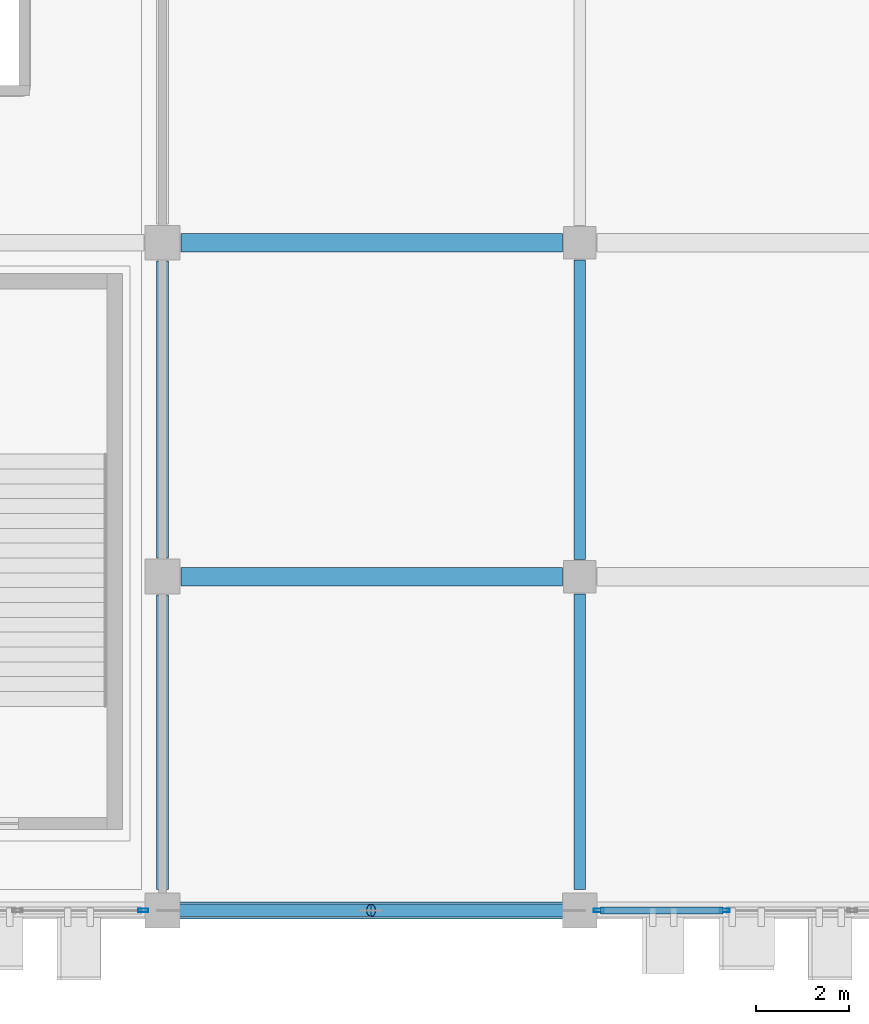
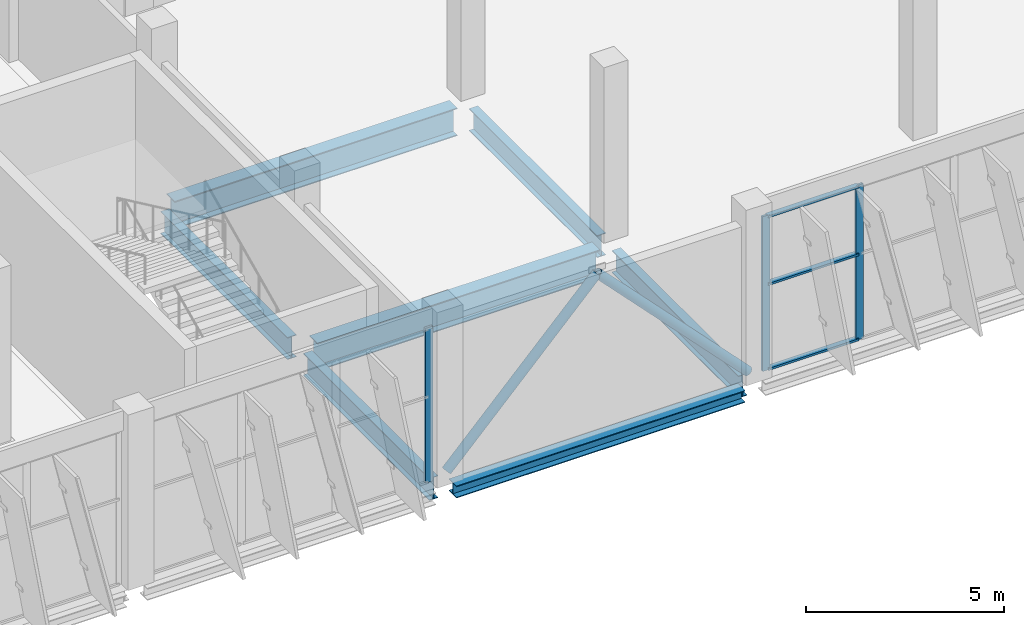
# One storey, part 49 of 189: 8 members, 7 beams, 2 elements without a shape of their own.
"""IFC4 building model written with IfcOpenShell, lengths in metres."""

from ifc_helpers import new_model, si_unit, direction, frame, origin, origin_2d, place, context, subcontext, project, spatial, hollow_rectangle, hollow_circle, i_section, extrude, material, layer, layer_set, material_profile, profile_set, type_object, element, aggregate, save


model = new_model("IFC4")

# Units and contexts
model_context = context("Model", 3, precision=1e-05, world=origin(), true_north=direction((0.0, 1.0)))
body_context = subcontext(model_context, "Body", "Model", "MODEL_VIEW")
ifc_project = project(units=[si_unit("LENGTHUNIT", "METRE"), si_unit("AREAUNIT", "SQUARE_METRE"), si_unit("VOLUMEUNIT", "CUBIC_METRE"), si_unit("PLANEANGLEUNIT", "RADIAN"), si_unit("MASSUNIT", "GRAM", prefix="KILO")], contexts=[model_context])

# Site, building, storey
site_placement = place(None, origin())
site = spatial("IfcSite", under=ifc_project, at=site_placement, CompositionType="ELEMENT")
building_placement = place(site_placement, origin())
building = spatial("IfcBuilding", under=site, at=building_placement, Name="Celestram Park Convention Centre", CompositionType="ELEMENT")
storey_placement = place(building_placement, frame((0.0, 0.0, 5.39990234375)))
storey = spatial("IfcBuildingStorey", under=building, at=storey_placement, Name="L01", CompositionType="ELEMENT", Elevation=5.39990234375)

# Curtain wall, members
ifc_material_1 = material(Name="Anodised Aluminium Alloy 6063-T6", Category="aluminium")
ifc_layer = layer(ifc_material_1, 0.179931640625)
ifc_layer_set = layer_set([ifc_layer], Name="Anodised Aluminium Alloy 6063-T6")
curtain_wall_type = type_object("IfcCurtainWallType", Name="ARC-CW-825X476", PredefinedType="NOTDEFINED", material=ifc_layer_set)
curtain_wall_1_placement = place(storey_placement, origin())
curtain_wall_1 = element("IfcCurtainWall", 1, at=curtain_wall_1_placement, inside=storey, type_object=curtain_wall_type, Name="Unitised curtain wall CU-L01-110", PredefinedType="NOTDEFINED")
ifc_material_profile_1 = material_profile(ifc_material_1, hollow_rectangle(XDim=0.074951171875, YDim=0.219970703125, WallThickness=0.00390625, at=origin_2d()), Name="ALU75X220X4")
ifc_profile_set_1 = profile_set([ifc_material_profile_1], Name="Anodised Aluminium Alloy 6063-T6")
member_type_1 = type_object("IfcMemberType", Name="ARC-CWM-180", PredefinedType="MULLION", material=ifc_profile_set_1)
member_1_placement = place(storey_placement, frame((174.124267578125, 0.0, 0.0), z_axis=(0.0, 0.0, 1.0), x_axis=(0.0, -1.0, 0.0)))
member_1 = element("IfcMember", 2, at=member_1_placement, type_object=member_type_1, Name="CW-82X47 mullion 3", PredefinedType="MULLION", context=body_context, shape_type="SweptSolid", body=[
    extrude(hollow_rectangle(XDim=0.074951171875, YDim=0.219970703125, WallThickness=0.00390625, at=origin_2d()), origin(), (0.0, 0.0, 1.0), 4.76416015625),
])
member_2_placement = place(storey_placement, frame((171.410400390625, 0.0, 0.0), z_axis=(0.0, 0.0, 1.0), x_axis=(0.0, -1.0, 0.0)))
member_2 = element("IfcMember", 3, at=member_2_placement, type_object=member_type_1, Name="CW-82X47 mullion 4", PredefinedType="MULLION", context=body_context, shape_type="SweptSolid", body=[
    extrude(hollow_rectangle(XDim=0.074951171875, YDim=0.219970703125, WallThickness=0.00390625, at=origin_2d()), origin(), (0.0, 0.0, 1.0), 4.76416015625),
])

# Curtain wall, member
curtain_wall_2_placement = place(storey_placement, origin())
curtain_wall_2 = element("IfcCurtainWall", 4, at=curtain_wall_2_placement, inside=storey, type_object=curtain_wall_type, Name="Unitised curtain wall CU-L01-111", PredefinedType="NOTDEFINED")
member_3_placement = place(storey_placement, frame((161.589599609375, 0.0, 0.0), z_axis=(0.0, 0.0, 1.0), x_axis=(0.0, -1.0, 0.0)))
member_3 = element("IfcMember", 5, at=member_3_placement, type_object=member_type_1, Name="CW-82X47 mullion 1", PredefinedType="MULLION", context=body_context, shape_type="SweptSolid", body=[
    extrude(hollow_rectangle(XDim=0.074951171875, YDim=0.219970703125, WallThickness=0.00390625, at=origin_2d()), origin(), (0.0, 0.0, 1.0), 4.76416015625),
])
aggregate(curtain_wall_2, [member_3])

# Member
ifc_material_profile_2 = material_profile(ifc_material_1, hollow_rectangle(XDim=0.14990234375, YDim=0.06494140625, WallThickness=0.0029296875, at=origin_2d()), Name="ALU150X65X3")
ifc_profile_set_2 = profile_set([ifc_material_profile_2], Name="Anodised Aluminium Alloy 6063-T6")
member_type_2 = type_object("IfcMemberType", Name="ARC-CWT-150", PredefinedType="USERDEFINED", material=ifc_profile_set_2)
member_4_placement = place(storey_placement, frame((174.0869140625, 0.0, 0.03271484375), z_axis=(-1.0, 0.0, 0.0), x_axis=(0.0, -1.0, 0.0)))
member_4 = element("IfcMember", 6, at=member_4_placement, type_object=member_type_2, Name="CW-82X47 transom 3.1", ObjectType="TRANSOM", PredefinedType="USERDEFINED", context=body_context, shape_type="SweptSolid", body=[
    extrude(hollow_rectangle(XDim=0.14990234375, YDim=0.06494140625, WallThickness=0.0029296875, at=origin_2d()), origin(), (0.0, 0.0, 1.0), 2.638916015625),
])

member_5_placement = place(storey_placement, frame((174.0869140625, 0.0, 2.650146484375), z_axis=(-1.0, 0.0, 0.0), x_axis=(0.0, -1.0, 0.0)))
member_5 = element("IfcMember", 7, at=member_5_placement, type_object=member_type_2, Name="CW-82X47 transom 3.2", ObjectType="TRANSOM", PredefinedType="USERDEFINED", context=body_context, shape_type="SweptSolid", body=[
    extrude(hollow_rectangle(XDim=0.14990234375, YDim=0.06494140625, WallThickness=0.0029296875, at=origin_2d()), origin(), (0.0, 0.0, 1.0), 2.638916015625),
])

member_6_placement = place(storey_placement, frame((174.0869140625, 0.0, 4.731689453125), z_axis=(-1.0, 0.0, 0.0), x_axis=(0.0, -1.0, 0.0)))
member_6 = element("IfcMember", 8, at=member_6_placement, type_object=member_type_2, Name="CW-82X47 transom 3.3", ObjectType="TRANSOM", PredefinedType="USERDEFINED", context=body_context, shape_type="SweptSolid", body=[
    extrude(hollow_rectangle(XDim=0.14990234375, YDim=0.06494140625, WallThickness=0.0029296875, at=origin_2d()), origin(), (0.0, 0.0, 1.0), 2.638916015625),
])

aggregate(curtain_wall_1, [member_1, member_2, member_4, member_5, member_6])

# Beams
ifc_material_2 = material(Name="Steel ASTM A992 Grade 50", Category="steel")
ifc_material_profile_3 = material_profile(ifc_material_2, i_section(OverallWidth=0.25390625, OverallDepth=0.68310546875, WebThickness=0.012451171875, FlangeThickness=0.01904296875, at=origin_2d()), Name="W27X94")
ifc_profile_set_3 = profile_set([ifc_material_profile_3], Name="Steel ASTM A992 Grade 50")
beam_type_1 = type_object("IfcBeamType", Name="STR-BM-W27X94", PredefinedType="BEAM", material=ifc_profile_set_3)
beam_1_placement = place(storey_placement, frame((162.0, 0.447998046875, -0.621337890625), z_axis=(0.0, 1.0, 0.0), x_axis=(-1.0, 0.0, 0.0)))
element("IfcBeam", 9, at=beam_1_placement, inside=storey, type_object=beam_type_1, Name="Primary Y-girder BG-L01-0383", PredefinedType="BEAM", context=body_context, shape_type="SweptSolid", body=[
    extrude(i_section(OverallWidth=0.25390625, OverallDepth=0.68310546875, WebThickness=0.012451171875, FlangeThickness=0.01904296875, at=origin_2d()), origin(), (0.0, 0.0, 1.0), 6.35400390625),
])
beam_2_placement = place(storey_placement, frame((162.0, 7.597900390625, -0.621337890625), z_axis=(0.0, 1.0, 0.0), x_axis=(-1.0, 0.0, 0.0)))
element("IfcBeam", 10, at=beam_2_placement, inside=storey, type_object=beam_type_1, Name="Primary Y-girder BG-L01-0385", PredefinedType="BEAM", context=body_context, shape_type="SweptSolid", body=[
    extrude(i_section(OverallWidth=0.25390625, OverallDepth=0.68310546875, WebThickness=0.012451171875, FlangeThickness=0.01904296875, at=origin_2d()), origin(), (0.0, 0.0, 1.0), 6.404052734375),
])
beam_3_placement = place(storey_placement, frame((171.0, 0.447998046875, -0.621337890625), z_axis=(0.0, 1.0, 0.0), x_axis=(-1.0, 0.0, 0.0)))
element("IfcBeam", 11, at=beam_3_placement, inside=storey, type_object=beam_type_1, Name="Primary Y-girder BG-L01-0409", PredefinedType="BEAM", context=body_context, shape_type="SweptSolid", body=[
    extrude(i_section(OverallWidth=0.25390625, OverallDepth=0.68310546875, WebThickness=0.012451171875, FlangeThickness=0.01904296875, at=origin_2d()), origin(), (0.0, 0.0, 1.0), 6.37890625),
])
beam_4_placement = place(storey_placement, frame((171.0, 7.572998046875, -0.621337890625), z_axis=(0.0, 1.0, 0.0), x_axis=(-1.0, 0.0, 0.0)))
element("IfcBeam", 12, at=beam_4_placement, inside=storey, type_object=beam_type_1, Name="Primary Y-girder BG-L01-0411", PredefinedType="BEAM", context=body_context, shape_type="SweptSolid", body=[
    extrude(i_section(OverallWidth=0.25390625, OverallDepth=0.68310546875, WebThickness=0.012451171875, FlangeThickness=0.01904296875, at=origin_2d()), origin(), (0.0, 0.0, 1.0), 6.4541015625),
])
ifc_material_profile_4 = material_profile(ifc_material_2, i_section(OverallWidth=0.40087890625, OverallDepth=0.85595703125, WebThickness=0.018310546875, FlangeThickness=0.029296875, at=origin_2d()), Name="W33X201")
ifc_profile_set_4 = profile_set([ifc_material_profile_4], Name="Steel ASTM A992 Grade 50")
beam_type_2 = type_object("IfcBeamType", Name="STR-BM-W33X201", PredefinedType="BEAM", material=ifc_profile_set_4)
for number, where, z_axis, x_axis, name in (
    (13, (162.39794921875, 7.199951171875, -0.7080078125), (1.0, 0.0, 0.0), (0.0, 1.0, 0.0), "Primary X-girder BG-L01-0384"),
    (14, (162.39794921875, 14.39990234375, -0.7080078125), (1.0, 0.0, 0.0), (0.0, 1.0, 0.0), "Primary X-girder BG-L01-0386"),
):
    element("IfcBeam", number, at=place(storey_placement, frame(where, z_axis=z_axis, x_axis=x_axis)), inside=storey, type_object=beam_type_2, Name=name, PredefinedType="BEAM", context=body_context, shape_type="SweptSolid", body=[
        extrude(i_section(OverallWidth=0.40087890625, OverallDepth=0.85595703125, WebThickness=0.018310546875, FlangeThickness=0.029296875, at=origin_2d()), origin(), (0.0, 0.0, 1.0), 8.22900390625),
    ])

# Members
ifc_material_3 = material(Name="Steel ASTM A500 Grade C", Category="steel")
ifc_material_profile_5 = material_profile(ifc_material_3, hollow_circle(Radius=0.136474609375, WallThickness=0.010009765625, at=origin_2d()), Name="CHS273X10")
ifc_profile_set_5 = profile_set([ifc_material_profile_5], Name="Steel ASTM A500 Grade C")
member_type_3 = type_object("IfcMemberType", Name="STR-BRC-CHS273", PredefinedType="BRACE", material=ifc_profile_set_5)
for number, where, z_axis, x_axis, name in (
    (15, (162.1201171875, 0.0, 0.150146484375), (0.693506471667, 0.0, 0.720450396458), (0.0, 1.0, 0.0), "Chevron braced-frame diagonal BF-L01-019"),
    (16, (170.8798828125, 0.0, 0.150146484375), (-0.693506471667, 0.0, 0.720450396458), (0.0, -1.0, 0.0), "Chevron braced-frame diagonal BF-L01-020"),
):
    element("IfcMember", number, at=place(storey_placement, frame(where, z_axis=z_axis, x_axis=x_axis)), inside=storey, type_object=member_type_3, Name=name, PredefinedType="BRACE", context=body_context, shape_type="SweptSolid", body=[
        extrude(hollow_circle(Radius=0.136474609375, WallThickness=0.010009765625, at=origin_2d()), origin(), (0.0, 0.0, 1.0), 6.315673828125),
    ])

# Beam
ifc_material_profile_6 = material_profile(ifc_material_2, i_section(OverallWidth=0.373046875, OverallDepth=0.373046875, WebThickness=0.016357421875, FlangeThickness=0.026123046875, at=origin_2d()), Name="W14X132")
ifc_profile_set_6 = profile_set([ifc_material_profile_6], Name="Steel ASTM A992 Grade 50")
beam_type_3 = type_object("IfcBeamType", Name="STR-SPN-W14X132", PredefinedType="SPANDREL", material=ifc_profile_set_6)
beam_5_placement = place(storey_placement, frame((162.298095703125, 0.0, -0.46630859375), z_axis=(1.0, 0.0, 0.0), x_axis=(0.0, 1.0, 0.0)))
element("IfcBeam", 17, at=beam_5_placement, inside=storey, type_object=beam_type_3, Name="Primary X-girder BG-L01-0382", PredefinedType="SPANDREL", context=body_context, shape_type="SweptSolid", body=[
    extrude(i_section(OverallWidth=0.373046875, OverallDepth=0.373046875, WebThickness=0.016357421875, FlangeThickness=0.026123046875, at=origin_2d()), origin(), (0.0, 0.0, 1.0), 8.40380859375),
])

save(model, "model.ifc")
